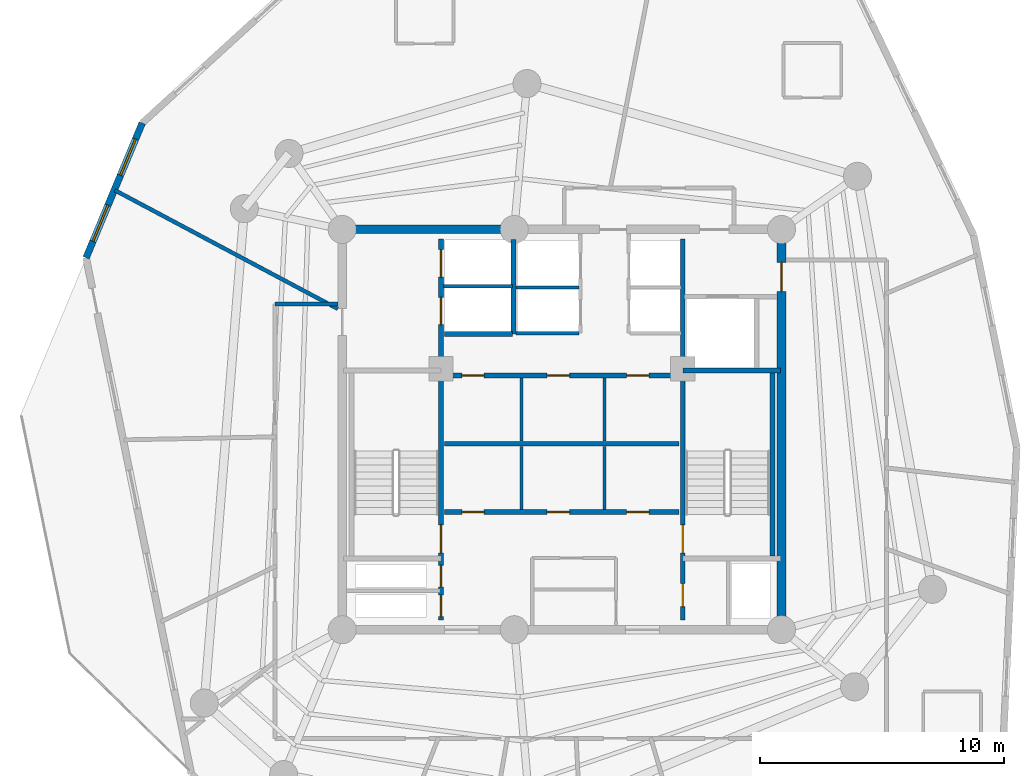
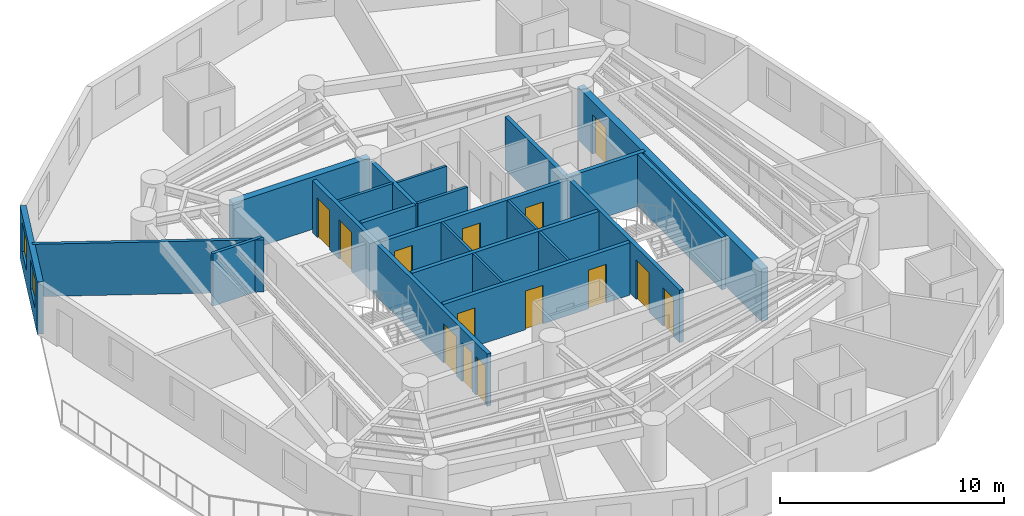
# One storey, part 4 of 8: 21 walls, 14 doors, 2 windows, 16 openings.
"""IFC4 building model written with IfcOpenShell, lengths in metres."""

from ifc_helpers import new_model, si_unit, direction, frame, frame_2d, origin, origin_with_axes, place, context, subcontext, project, spatial, rectangle, extrude, source, transform, mapped, material, layer, layer_set, type_object, element, fill, save


model = new_model("IFC4")

# Units and contexts
model_context = context("Model", 3, precision=1e-05, world=origin(), true_north=direction((0.0, 1.0)))
body_context = subcontext(model_context, "Body", "Model", "MODEL_VIEW")
ifc_project = project(units=[si_unit("LENGTHUNIT", "METRE"), si_unit("AREAUNIT", "SQUARE_METRE"), si_unit("VOLUMEUNIT", "CUBIC_METRE"), si_unit("PLANEANGLEUNIT", "RADIAN"), si_unit("MASSUNIT", "GRAM", prefix="KILO")], contexts=[model_context])

# Site, building, storey
site_placement = place(None, origin())
site = spatial("IfcSite", under=ifc_project, at=site_placement, CompositionType="ELEMENT")
building_placement = place(site_placement, origin())
building = spatial("IfcBuilding", under=site, at=building_placement, Name="Karkom Vertical University and Central Library", CompositionType="ELEMENT")
storey_placement = place(building_placement, frame((0.0, 0.0, 216.89990234375)))
storey = spatial("IfcBuildingStorey", under=building, at=storey_placement, Name="L63", CompositionType="ELEMENT", Elevation=216.89990234375)

# Wall, openings, windows
ifc_material_1 = material(Name="Brick-faced precast concrete C45/55", Category="masonry")
ifc_layer_1 = layer(ifc_material_1, 0.280029296875)
ifc_layer_set_1 = layer_set([ifc_layer_1], Name="Brick-faced precast concrete C45/55")
wall_type_1 = type_object("IfcWallType", Name="ENV-WL-BRK-280", PredefinedType="SOLIDWALL", material=ifc_layer_set_1)
wall_1_placement = place(storey_placement, frame((11.307861328125, 39.065185546875, 0.0), z_axis=(0.0, 0.0, 1.0), x_axis=(-0.384644347337, -0.923064854743, 0.0)))
wall_1 = element("IfcWall", 1, at=wall_1_placement, inside=storey, type_object=wall_type_1, Name="Level 63 Brick-Faced Precast Facade Wall 11", PredefinedType="SOLIDWALL", context=body_context, shape_type="SweptSolid", body=[
    extrude(rectangle(XDim=5.9853515625, YDim=0.280029296875, at=frame_2d((2.99267578125, 0.0))), origin(), (0.0, 0.0, 1.0), 2.85009765625),
])
opening_1_placement = place(wall_1_placement, frame((0.720947265625, 0.0, 0.85009765625)))
opening_1 = element("IfcOpeningElement", 2, at=opening_1_placement, cuts=wall_1, Name="Opening WN-10", PredefinedType="OPENING", context=body_context, shape_type="SweptSolid", body=[
    extrude(rectangle(XDim=1.60009765625, YDim=1.60009765625, at=frame_2d((0.800048828125, 0.800048828125))), frame((0.0, 0.14990234375, 0.0), z_axis=(0.0, -1.0, 0.0), x_axis=(1.0, 0.0, 0.0)), (0.0, 0.0, 1.0), 0.300048828125),
])
opening_2_placement = place(wall_1_placement, frame((3.653564453125, 0.0, 0.85009765625)))
opening_2 = element("IfcOpeningElement", 3, at=opening_2_placement, cuts=wall_1, Name="Opening WN-10", PredefinedType="OPENING", context=body_context, shape_type="SweptSolid", body=[
    extrude(rectangle(XDim=1.60009765625, YDim=1.60009765625, at=frame_2d((0.800048828125, 0.800048828125))), frame((0.0, 0.14990234375, 0.0), z_axis=(0.0, -1.0, 0.0), x_axis=(1.0, 0.0, 0.0)), (0.0, 0.0, 1.0), 0.300048828125),
])
ifc_material_2 = material(Name="Aluminium thermal-break frame with solar-control IGU", Category="aluminium")
window_type = type_object("IfcWindowType", Name="ENV-WIN-WN-10", PartitioningType="SINGLE_PANEL", PredefinedType="WINDOW", material=ifc_material_2)
shared_shape_1 = source(origin_with_axes(), body_context, "Body", "SweptSolid", [
    extrude(rectangle(XDim=1.60009765625, YDim=1.60009765625, at=frame_2d((0.800048828125, 0.800048828125))), frame((0.0, 0.030029296875, 0.0), z_axis=(0.0, -1.0, 0.0), x_axis=(1.0, 0.0, 0.0)), (0.0, 0.0, 1.0), 0.06005859375),
])
window_1_placement = place(opening_1_placement, origin())
window_1 = element("IfcWindow", 4, at=window_1_placement, inside=storey, type_object=window_type, Name="Level 63 Punched Window 11.1", OverallHeight=1.60009765625, OverallWidth=1.60009765625, PartitioningType="SINGLE_PANEL", PredefinedType="WINDOW", context=body_context, shape_type="MappedRepresentation", body=[
    mapped(shared_shape_1, transform((0.0, 0.0, 0.0), scale=1.0)),
])
fill(opening_1, window_1)
window_2_placement = place(opening_2_placement, origin())
window_2 = element("IfcWindow", 5, at=window_2_placement, inside=storey, type_object=window_type, Name="Level 63 Punched Window 11.2", OverallHeight=1.60009765625, OverallWidth=1.60009765625, PartitioningType="SINGLE_PANEL", PredefinedType="WINDOW", context=body_context, shape_type="MappedRepresentation", body=[
    mapped(shared_shape_1, transform((0.0, 0.0, 0.0), scale=1.0)),
])
fill(opening_2, window_2)

# Walls
ifc_material_3 = material(Name="Insulated metal-stud drywall 160mm", Category="gypsum")
ifc_layer_2 = layer(ifc_material_3, 0.159912109375)
ifc_layer_set_2 = layer_set([ifc_layer_2], Name="Insulated metal-stud drywall 160mm")
wall_type_2 = type_object("IfcWallType", Name="INT-WL-COR-160", PredefinedType="PARTITIONING", material=ifc_layer_set_2)
wall_2_placement = place(storey_placement, frame((19.318603515625, 31.44970703125, 0.0), z_axis=(0.0, 0.0, 1.0), x_axis=(-0.882947317061, 0.469472081485, 0.0)))
element("IfcWall", 6, at=wall_2_placement, inside=storey, type_object=wall_type_2, Name="Level 63 Interior Partition Wall L63-PW-016", PredefinedType="PARTITIONING", context=body_context, shape_type="SweptSolid", body=[
    extrude(rectangle(XDim=10.345947265625, YDim=0.159912109375, at=frame_2d((5.1728515625, 0.0))), origin(), (0.0, 0.0, 1.0), 2.85009765625),
])
wall_3_placement = place(storey_placement, frame((16.75, 31.64990234375, 0.0), z_axis=(0.0, 0.0, 1.0), x_axis=(1.0, 0.0, 0.0)))
element("IfcWall", 7, at=wall_3_placement, inside=storey, type_object=wall_type_2, Name="Level 63 Interior Partition Wall L63-CORW-CW-003", PredefinedType="PARTITIONING", context=body_context, shape_type="SweptSolid", body=[
    extrude(rectangle(XDim=2.568115234375, YDim=0.159912109375, at=frame_2d((1.2841796875, 0.0))), origin(), (0.0, 0.0, 1.0), 2.85009765625),
])
ifc_material_4 = material(Name="Moisture-resistant drywall 120mm", Category="gypsum")
ifc_layer_3 = layer(ifc_material_4, 0.1201171875)
ifc_layer_set_3 = layer_set([ifc_layer_3], Name="Moisture-resistant drywall 120mm")
wall_type_3 = type_object("IfcWallType", Name="INT-WL-INT-120", PredefinedType="PARTITIONING", material=ifc_layer_set_3)
for number, where, z_axis, x_axis, name in (
    (8, (26.85009765625, 23.22705078125, 0.0), (0.0, 0.0, 1.0), (0.0, 1.0, 0.0), "Level 63 Interior Partition Wall L63-CW-B1-K4A"),
    (9, (30.25, 23.22705078125, 0.0), (0.0, 0.0, 1.0), (0.0, 1.0, 0.0), "Level 63 Interior Partition Wall L63-CW-B1-K4B"),
    (10, (26.85009765625, 26.027099609375, 0.0), (0.0, 0.0, 1.0), (0.0, 1.0, 0.0), "Level 63 Interior Partition Wall L63-CW-B2-K4A"),
    (11, (30.25, 26.027099609375, 0.0), (0.0, 0.0, 1.0), (0.0, 1.0, 0.0), "Level 63 Interior Partition Wall L63-CW-B2-K4B"),
):
    element("IfcWall", number, at=place(storey_placement, frame(where, z_axis=z_axis, x_axis=x_axis)), inside=storey, type_object=wall_type_3, Name=name, PredefinedType="PARTITIONING", context=body_context, shape_type="SweptSolid", body=[
        extrude(rectangle(XDim=2.586669921875, YDim=0.1201171875, at=frame_2d((1.29345703125, 0.0))), origin(), (0.0, 0.0, 1.0), 2.85009765625),
    ])
ifc_layer_4 = layer(ifc_material_4, 0.1201171875)
ifc_layer_set_4 = layer_set([ifc_layer_4], Name="Moisture-resistant drywall 120mm")
wall_type_4 = type_object("IfcWallType", Name="INT-WL-INT-120H", PredefinedType="PARTITIONING", material=ifc_layer_set_4)
wall_4_placement = place(storey_placement, frame((26.6201171875, 32.320068359375, 0.0), z_axis=(0.0, 0.0, 1.0), x_axis=(1.0, 0.0, 0.0)))
element("IfcWall", 12, at=wall_4_placement, inside=storey, type_object=wall_type_4, Name="Level 63 Interior Partition Wall L63-CW-PH-MW", PredefinedType="PARTITIONING", context=body_context, shape_type="SweptSolid", body=[
    extrude(rectangle(XDim=2.579833984375, YDim=0.1201171875, at=frame_2d((1.2900390625, 0.0))), origin(), (0.0, 0.0, 1.0), 2.85009765625),
])
ifc_material_5 = material(Name="Metal-stud gypsum partition 140mm", Category="gypsum")
ifc_layer_5 = layer(ifc_material_5, 0.139892578125)
ifc_layer_set_5 = layer_set([ifc_layer_5], Name="Metal-stud gypsum partition 140mm")
wall_type_5 = type_object("IfcWallType", Name="INT-WL-SUB-140H", PredefinedType="PARTITIONING", material=ifc_layer_set_5)
wall_5_placement = place(storey_placement, frame((26.6201171875, 30.449951171875, 0.0), z_axis=(0.0, 0.0, 1.0), x_axis=(1.0, 0.0, 0.0)))
element("IfcWall", 13, at=wall_5_placement, inside=storey, type_object=wall_type_5, Name="Level 63 Interior Partition Wall L63-CW-PH-S1", PredefinedType="PARTITIONING", context=body_context, shape_type="SweptSolid", body=[
    extrude(rectangle(XDim=2.579833984375, YDim=0.139892578125, at=frame_2d((1.2900390625, 0.0))), origin(), (0.0, 0.0, 1.0), 2.85009765625),
])
ifc_layer_6 = layer(ifc_material_5, 0.139892578125)
ifc_layer_set_6 = layer_set([ifc_layer_6], Name="Metal-stud gypsum partition 140mm")
wall_type_6 = type_object("IfcWallType", Name="INT-WL-SUB-140X", PredefinedType="PARTITIONING", material=ifc_layer_set_6)
wall_6_placement = place(storey_placement, frame((23.652099609375, 32.3701171875, 0.0), z_axis=(0.0, 0.0, 1.0), x_axis=(1.0, 0.0, 0.0)))
element("IfcWall", 14, at=wall_6_placement, inside=storey, type_object=wall_type_6, Name="Level 63 Interior Partition Wall L63-CW-FFL-M", PredefinedType="PARTITIONING", context=body_context, shape_type="SweptSolid", body=[
    extrude(rectangle(XDim=2.827880859375, YDim=0.139892578125, at=frame_2d((1.4140625, 0.0))), origin(), (0.0, 0.0, 1.0), 2.85009765625),
])

# Wall, opening, door
ifc_material_6 = material(Name="Concrete C45/55", Category="concrete")
ifc_layer_7 = layer(ifc_material_6, 0.35009765625)
ifc_layer_set_7 = layer_set([ifc_layer_7], Name="Concrete C45/55")
wall_type_7 = type_object("IfcWallType", Name="STR-WL-CW-350", PredefinedType="SHEAR", material=ifc_layer_set_7)
wall_7_placement = place(storey_placement, frame((37.5, 18.300048828125, 0.0), z_axis=(0.0, 0.0, 1.0), x_axis=(0.0, 1.0, 0.0)))
wall_7 = element("IfcWall", 15, at=wall_7_placement, inside=storey, type_object=wall_type_7, Name="Level 63 Central Core Shear Wall EW", PredefinedType="SHEAR", context=body_context, shape_type="SweptSolid", body=[
    extrude(rectangle(XDim=16.39990234375, YDim=0.35009765625, at=frame_2d((8.199951171875, 0.0))), origin(), (0.0, 0.0, 1.0), 2.85009765625),
])
opening_3_placement = place(wall_7_placement, frame((13.85009765625, 0.0, 0.0)))
opening_3 = element("IfcOpeningElement", 16, at=opening_3_placement, cuts=wall_7, Name="Opening FD-SUB1", PredefinedType="OPENING", context=body_context, shape_type="SweptSolid", body=[
    extrude(rectangle(XDim=1.199951171875, YDim=2.14990234375, at=frame_2d((0.60009765625, 1.074951171875))), frame((0.0, 0.18505859375, 0.0), z_axis=(0.0, -1.0, 0.0), x_axis=(1.0, 0.0, 0.0)), (0.0, 0.0, 1.0), 0.3701171875),
])
ifc_material_7 = material(Name="Painted steel fire door", Category="steel")
door_type_1 = type_object("IfcDoorType", Name="INT-DR-SUB1", OperationType="NOTDEFINED", PredefinedType="DOOR", material=ifc_material_7)
shared_shape_2 = source(origin_with_axes(), body_context, "Body", "SweptSolid", [
    extrude(rectangle(XDim=1.199951171875, YDim=2.14990234375, at=frame_2d((0.60009765625, 1.074951171875))), frame((0.0, 0.02490234375, 0.0), z_axis=(0.0, -1.0, 0.0), x_axis=(1.0, 0.0, 0.0)), (0.0, 0.0, 1.0), 0.050048828125),
])
door_1_placement = place(opening_3_placement, origin())
door_1 = element("IfcDoor", 17, at=door_1_placement, inside=storey, type_object=door_type_1, Name="Level 63 East Corridor Service Lobby Door", OperationType="SINGLE_SWING_LEFT", OverallHeight=2.14990234375, OverallWidth=1.199951171875, PredefinedType="DOOR", context=body_context, shape_type="MappedRepresentation", body=[
    mapped(shared_shape_2, transform((0.0, 0.0, 0.0), scale=1.0)),
])
fill(opening_3, door_1)

# Wall
wall_8_placement = place(storey_placement, frame((26.550048828125, 34.699951171875, 0.0), z_axis=(0.0, 0.0, 1.0), x_axis=(-1.0, 0.0, 0.0)))
element("IfcWall", 18, at=wall_8_placement, inside=storey, type_object=wall_type_7, Name="Level 63 Central Core Shear Wall NW2", PredefinedType="SHEAR", context=body_context, shape_type="SweptSolid", body=[
    extrude(rectangle(XDim=7.050048828125, YDim=0.35009765625, at=frame_2d((3.52490234375, 0.0))), origin(), (0.0, 0.0, 1.0), 2.85009765625),
])

# Wall, openings, doors
ifc_layer_8 = layer(ifc_material_6, 0.199951171875)
ifc_layer_set_8 = layer_set([ifc_layer_8], Name="Concrete C45/55")
wall_type_8 = type_object("IfcWallType", Name="STR-WL-ST-200", PredefinedType="SHEAR", material=ifc_layer_set_8)
wall_9_placement = place(storey_placement, frame((23.544921875, 18.699951171875, 0.0), z_axis=(0.0, 0.0, 1.0), x_axis=(0.0, 1.0, 0.0)))
wall_9 = element("IfcWall", 19, at=wall_9_placement, inside=storey, type_object=wall_type_8, Name="Level 63 Core Shaft Wall L63-CW-ST1-E", PredefinedType="SHEAR", context=body_context, shape_type="SweptSolid", body=[
    extrude(rectangle(XDim=15.60009765625, YDim=0.199951171875, at=frame_2d((7.800048828125, 0.0))), origin(), (0.0, 0.0, 1.0), 2.85009765625),
])
opening_4_placement = place(wall_9_placement, frame((2.75, 0.0, 0.0)))
opening_4 = element("IfcOpeningElement", 20, at=opening_4_placement, cuts=wall_9, Name="Opening FD-ST1", PredefinedType="OPENING", context=body_context, shape_type="SweptSolid", body=[
    extrude(rectangle(XDim=1.14990234375, YDim=2.14990234375, at=frame_2d((0.574951171875, 1.074951171875))), frame((0.0, 0.10986328125, 0.0), z_axis=(0.0, -1.0, 0.0), x_axis=(1.0, 0.0, 0.0)), (0.0, 0.0, 1.0), 0.219970703125),
])
opening_5_placement = place(wall_9_placement, frame((0.139892578125, 0.0, 0.0)))
opening_5 = element("IfcOpeningElement", 21, at=opening_5_placement, cuts=wall_9, Name="Opening FD-RIS", PredefinedType="OPENING", context=body_context, shape_type="SweptSolid", body=[
    extrude(rectangle(XDim=0.8798828125, YDim=2.10009765625, at=frame_2d((0.43994140625, 1.050048828125))), frame((0.0, 0.10986328125, 0.0), z_axis=(0.0, -1.0, 0.0), x_axis=(1.0, 0.0, 0.0)), (0.0, 0.0, 1.0), 0.219970703125),
])
opening_6_placement = place(wall_9_placement, frame((1.360107421875, 0.0, 0.0)))
opening_6 = element("IfcOpeningElement", 22, at=opening_6_placement, cuts=wall_9, Name="Opening FD-RIS", PredefinedType="OPENING", context=body_context, shape_type="SweptSolid", body=[
    extrude(rectangle(XDim=0.8798828125, YDim=2.10009765625, at=frame_2d((0.43994140625, 1.050048828125))), frame((0.0, 0.10986328125, 0.0), z_axis=(0.0, -1.0, 0.0), x_axis=(1.0, 0.0, 0.0)), (0.0, 0.0, 1.0), 0.219970703125),
])
opening_7_placement = place(wall_9_placement, frame((12.10009765625, 0.0, 0.0)))
opening_7 = element("IfcOpeningElement", 23, at=opening_7_placement, cuts=wall_9, Name="Opening LD-FFL", PredefinedType="OPENING", context=body_context, shape_type="SweptSolid", body=[
    extrude(rectangle(XDim=1.1201171875, YDim=2.14990234375, at=frame_2d((0.56005859375, 1.074951171875))), frame((0.0, 0.10986328125, 0.0), z_axis=(0.0, -1.0, 0.0), x_axis=(1.0, 0.0, 0.0)), (0.0, 0.0, 1.0), 0.219970703125),
])
opening_8_placement = place(wall_9_placement, frame((14.050048828125, 0.0, 0.0)))
opening_8 = element("IfcOpeningElement", 24, at=opening_8_placement, cuts=wall_9, Name="Opening LD-FFL", PredefinedType="OPENING", context=body_context, shape_type="SweptSolid", body=[
    extrude(rectangle(XDim=1.1201171875, YDim=2.14990234375, at=frame_2d((0.56005859375, 1.074951171875))), frame((0.0, 0.10986328125, 0.0), z_axis=(0.0, -1.0, 0.0), x_axis=(1.0, 0.0, 0.0)), (0.0, 0.0, 1.0), 0.219970703125),
])
ifc_material_8 = material(Name="Painted steel acoustic fire door", Category="steel")
door_type_2 = type_object("IfcDoorType", Name="INT-DR-ST1", OperationType="NOTDEFINED", PredefinedType="DOOR", material=ifc_material_8)
shared_shape_3 = source(origin_with_axes(), body_context, "Body", "SweptSolid", [
    extrude(rectangle(XDim=1.14990234375, YDim=2.14990234375, at=frame_2d((0.574951171875, 1.074951171875))), frame((0.0, 0.02490234375, 0.0), z_axis=(0.0, -1.0, 0.0), x_axis=(1.0, 0.0, 0.0)), (0.0, 0.0, 1.0), 0.050048828125),
])
door_2_placement = place(opening_4_placement, origin())
door_2 = element("IfcDoor", 25, at=door_2_placement, inside=storey, type_object=door_type_2, Name="Level 63 Stair ST-1 Fire Door", OperationType="SINGLE_SWING_RIGHT", OverallHeight=2.14990234375, OverallWidth=1.14990234375, PredefinedType="DOOR", context=body_context, shape_type="MappedRepresentation", body=[
    mapped(shared_shape_3, transform((0.0, 0.0, 0.0), scale=1.0)),
])
fill(opening_4, door_2)
ifc_material_9 = material(Name="Painted steel riser access door", Category="steel")
door_type_3 = type_object("IfcDoorType", Name="INT-DR-RIS", OperationType="NOTDEFINED", PredefinedType="DOOR", material=ifc_material_9)
shared_shape_4 = source(origin_with_axes(), body_context, "Body", "SweptSolid", [
    extrude(rectangle(XDim=0.8798828125, YDim=2.10009765625, at=frame_2d((0.43994140625, 1.050048828125))), frame((0.0, 0.02490234375, 0.0), z_axis=(0.0, -1.0, 0.0), x_axis=(1.0, 0.0, 0.0)), (0.0, 0.0, 1.0), 0.050048828125),
])
door_3_placement = place(opening_5_placement, origin())
door_3 = element("IfcDoor", 26, at=door_3_placement, inside=storey, type_object=door_type_3, Name="Level 63 Electrical Riser Access Door", OperationType="SINGLE_SWING_LEFT", OverallHeight=2.10009765625, OverallWidth=0.8798828125, PredefinedType="DOOR", context=body_context, shape_type="MappedRepresentation", body=[
    mapped(shared_shape_4, transform((0.0, 0.0, 0.0), scale=1.0)),
])
fill(opening_5, door_3)
door_4_placement = place(opening_6_placement, origin())
door_4 = element("IfcDoor", 27, at=door_4_placement, inside=storey, type_object=door_type_3, Name="Level 63 Telecom Riser Access Door", OperationType="SINGLE_SWING_RIGHT", OverallHeight=2.10009765625, OverallWidth=0.8798828125, PredefinedType="DOOR", context=body_context, shape_type="MappedRepresentation", body=[
    mapped(shared_shape_4, transform((0.0, 0.0, 0.0), scale=1.0)),
])
fill(opening_6, door_4)
ifc_material_10 = material(Name="Fire-rated stainless-steel landing door", Category="steel")
door_type_4 = type_object("IfcDoorType", Name="INT-DR-LD-FFL", OperationType="SLIDING_TO_LEFT", PredefinedType="DOOR", material=ifc_material_10)
shared_shape_5 = source(origin_with_axes(), body_context, "Body", "SweptSolid", [
    extrude(rectangle(XDim=1.1201171875, YDim=2.14990234375, at=frame_2d((0.56005859375, 1.074951171875))), frame((0.0, 0.02490234375, 0.0), z_axis=(0.0, -1.0, 0.0), x_axis=(1.0, 0.0, 0.0)), (0.0, 0.0, 1.0), 0.050048828125),
])
door_5_placement = place(opening_7_placement, origin())
door_5 = element("IfcDoor", 28, at=door_5_placement, inside=storey, type_object=door_type_4, Name="Level 63 Firefighting Lift FFL-1 Landing Door", OperationType="SLIDING_TO_LEFT", OverallHeight=2.14990234375, OverallWidth=1.1201171875, PredefinedType="DOOR", context=body_context, shape_type="MappedRepresentation", body=[
    mapped(shared_shape_5, transform((0.0, 0.0, 0.0), scale=1.0)),
])
fill(opening_7, door_5)
door_6_placement = place(opening_8_placement, origin())
door_6 = element("IfcDoor", 29, at=door_6_placement, inside=storey, type_object=door_type_4, Name="Level 63 Firefighting Lift FFL-2 Landing Door", OperationType="SLIDING_TO_RIGHT", OverallHeight=2.14990234375, OverallWidth=1.1201171875, PredefinedType="DOOR", context=body_context, shape_type="MappedRepresentation", body=[
    mapped(shared_shape_5, transform((0.0, 0.0, 0.0), scale=1.0)),
])
fill(opening_8, door_6)

wall_10_placement = place(storey_placement, frame((33.455078125, 18.699951171875, 0.0), z_axis=(0.0, 0.0, 1.0), x_axis=(0.0, 1.0, 0.0)))
wall_10 = element("IfcWall", 30, at=wall_10_placement, inside=storey, type_object=wall_type_8, Name="Level 63 Core Shaft Wall L63-CW-ST2-W", PredefinedType="SHEAR", context=body_context, shape_type="SweptSolid", body=[
    extrude(rectangle(XDim=15.60009765625, YDim=0.199951171875, at=frame_2d((7.800048828125, 0.0))), origin(), (0.0, 0.0, 1.0), 2.85009765625),
])
opening_9_placement = place(wall_10_placement, frame((2.75, 0.0, 0.0)))
opening_9 = element("IfcOpeningElement", 31, at=opening_9_placement, cuts=wall_10, Name="Opening FD-ST1", PredefinedType="OPENING", context=body_context, shape_type="SweptSolid", body=[
    extrude(rectangle(XDim=1.14990234375, YDim=2.14990234375, at=frame_2d((0.574951171875, 1.074951171875))), frame((0.0, 0.10986328125, 0.0), z_axis=(0.0, -1.0, 0.0), x_axis=(1.0, 0.0, 0.0)), (0.0, 0.0, 1.0), 0.219970703125),
])
opening_10_placement = place(wall_10_placement, frame((0.550048828125, 0.0, 0.0)))
opening_10 = element("IfcOpeningElement", 32, at=opening_10_placement, cuts=wall_10, Name="Opening D-WC1", PredefinedType="OPENING", context=body_context, shape_type="SweptSolid", body=[
    extrude(rectangle(XDim=0.93994140625, YDim=2.10009765625, at=frame_2d((0.469970703125, 1.050048828125))), frame((0.0, 0.10986328125, 0.0), z_axis=(0.0, -1.0, 0.0), x_axis=(1.0, 0.0, 0.0)), (0.0, 0.0, 1.0), 0.219970703125),
])
door_7_placement = place(opening_9_placement, origin())
door_7 = element("IfcDoor", 33, at=door_7_placement, inside=storey, type_object=door_type_2, Name="Level 63 Stair ST-2 Fire Door", OperationType="SINGLE_SWING_LEFT", OverallHeight=2.14990234375, OverallWidth=1.14990234375, PredefinedType="DOOR", context=body_context, shape_type="MappedRepresentation", body=[
    mapped(shared_shape_3, transform((0.0, 0.0, 0.0), scale=1.0)),
])
fill(opening_9, door_7)
ifc_material_11 = material(Name="Fire-rated laminate moisture-resistant door", Category="wood")
door_type_5 = type_object("IfcDoorType", Name="INT-DR-WC1", OperationType="NOTDEFINED", PredefinedType="DOOR", material=ifc_material_11)
shared_shape_6 = source(origin_with_axes(), body_context, "Body", "SweptSolid", [
    extrude(rectangle(XDim=0.93994140625, YDim=2.10009765625, at=frame_2d((0.469970703125, 1.050048828125))), frame((0.0, 0.02490234375, 0.0), z_axis=(0.0, -1.0, 0.0), x_axis=(1.0, 0.0, 0.0)), (0.0, 0.0, 1.0), 0.050048828125),
])
door_8_placement = place(opening_10_placement, origin())
door_8 = element("IfcDoor", 34, at=door_8_placement, inside=storey, type_object=door_type_5, Name="Level 63 Accessible WC Door", OperationType="SINGLE_SWING_LEFT", OverallHeight=2.10009765625, OverallWidth=0.93994140625, PredefinedType="DOOR", context=body_context, shape_type="MappedRepresentation", body=[
    mapped(shared_shape_6, transform((0.0, 0.0, 0.0), scale=1.0)),
])
fill(opening_10, door_8)

wall_11_placement = place(storey_placement, frame((23.699951171875, 23.1201171875, 0.0), z_axis=(0.0, 0.0, 1.0), x_axis=(1.0, 0.0, 0.0)))
wall_11 = element("IfcWall", 35, at=wall_11_placement, inside=storey, type_object=wall_type_8, Name="Level 63 Core Shaft Wall L63-CW-B1-S", PredefinedType="SHEAR", context=body_context, shape_type="SweptSolid", body=[
    extrude(rectangle(XDim=9.60009765625, YDim=0.199951171875, at=frame_2d((4.800048828125, 0.0))), origin(), (0.0, 0.0, 1.0), 2.85009765625),
])
opening_11_placement = place(wall_11_placement, frame((0.699951171875, 0.0, 0.0)))
opening_11 = element("IfcOpeningElement", 36, at=opening_11_placement, cuts=wall_11, Name="Opening D-SVC1", PredefinedType="OPENING", context=body_context, shape_type="SweptSolid", body=[
    extrude(rectangle(XDim=0.919921875, YDim=2.10009765625, at=frame_2d((0.4599609375, 1.050048828125))), frame((0.0, 0.10986328125, 0.0), z_axis=(0.0, -1.0, 0.0), x_axis=(1.0, 0.0, 0.0)), (0.0, 0.0, 1.0), 0.219970703125),
])
opening_12_placement = place(wall_11_placement, frame((4.199951171875, 0.0, 0.0)))
opening_12 = element("IfcOpeningElement", 37, at=opening_12_placement, cuts=wall_11, Name="Opening D-SVC1", PredefinedType="OPENING", context=body_context, shape_type="SweptSolid", body=[
    extrude(rectangle(XDim=0.919921875, YDim=2.10009765625, at=frame_2d((0.4599609375, 1.050048828125))), frame((0.0, 0.10986328125, 0.0), z_axis=(0.0, -1.0, 0.0), x_axis=(1.0, 0.0, 0.0)), (0.0, 0.0, 1.0), 0.219970703125),
])
opening_13_placement = place(wall_11_placement, frame((7.449951171875, 0.0, 0.0)))
opening_13 = element("IfcOpeningElement", 38, at=opening_13_placement, cuts=wall_11, Name="Opening D-SVC1", PredefinedType="OPENING", context=body_context, shape_type="SweptSolid", body=[
    extrude(rectangle(XDim=0.919921875, YDim=2.10009765625, at=frame_2d((0.4599609375, 1.050048828125))), frame((0.0, 0.10986328125, 0.0), z_axis=(0.0, -1.0, 0.0), x_axis=(1.0, 0.0, 0.0)), (0.0, 0.0, 1.0), 0.219970703125),
])
ifc_material_12 = material(Name="Painted timber service door", Category="wood")
door_type_6 = type_object("IfcDoorType", Name="INT-DR-SVC1", OperationType="NOTDEFINED", PredefinedType="DOOR", material=ifc_material_12)
shared_shape_7 = source(origin_with_axes(), body_context, "Body", "SweptSolid", [
    extrude(rectangle(XDim=0.919921875, YDim=2.10009765625, at=frame_2d((0.4599609375, 1.050048828125))), frame((0.0, 0.02490234375, 0.0), z_axis=(0.0, -1.0, 0.0), x_axis=(1.0, 0.0, 0.0)), (0.0, 0.0, 1.0), 0.050048828125),
])
door_9_placement = place(opening_11_placement, origin())
door_9 = element("IfcDoor", 39, at=door_9_placement, inside=storey, type_object=door_type_6, Name="Level 63 B1 Store A Door", OperationType="SINGLE_SWING_RIGHT", OverallHeight=2.10009765625, OverallWidth=0.919921875, PredefinedType="DOOR", context=body_context, shape_type="MappedRepresentation", body=[
    mapped(shared_shape_7, transform((0.0, 0.0, 0.0), scale=1.0)),
])
fill(opening_11, door_9)
door_10_placement = place(opening_12_placement, origin())
door_10 = element("IfcDoor", 40, at=door_10_placement, inside=storey, type_object=door_type_6, Name="Level 63 B1 Comms Door", OperationType="SINGLE_SWING_LEFT", OverallHeight=2.10009765625, OverallWidth=0.919921875, PredefinedType="DOOR", context=body_context, shape_type="MappedRepresentation", body=[
    mapped(shared_shape_7, transform((0.0, 0.0, 0.0), scale=1.0)),
])
fill(opening_12, door_10)
door_11_placement = place(opening_13_placement, origin())
door_11 = element("IfcDoor", 41, at=door_11_placement, inside=storey, type_object=door_type_6, Name="Level 63 B1 Store C Door", OperationType="SINGLE_SWING_RIGHT", OverallHeight=2.10009765625, OverallWidth=0.919921875, PredefinedType="DOOR", context=body_context, shape_type="MappedRepresentation", body=[
    mapped(shared_shape_7, transform((0.0, 0.0, 0.0), scale=1.0)),
])
fill(opening_13, door_11)

# Wall
wall_12_placement = place(storey_placement, frame((23.699951171875, 25.919921875, 0.0), z_axis=(0.0, 0.0, 1.0), x_axis=(1.0, 0.0, 0.0)))
element("IfcWall", 42, at=wall_12_placement, inside=storey, type_object=wall_type_8, Name="Level 63 Core Shaft Wall L63-CW-B1-N", PredefinedType="SHEAR", context=body_context, shape_type="SweptSolid", body=[
    extrude(rectangle(XDim=9.60009765625, YDim=0.199951171875, at=frame_2d((4.800048828125, 0.0))), origin(), (0.0, 0.0, 1.0), 2.85009765625),
])

# Wall, openings, doors
wall_13_placement = place(storey_placement, frame((23.699951171875, 28.719970703125, 0.0), z_axis=(0.0, 0.0, 1.0), x_axis=(1.0, 0.0, 0.0)))
wall_13 = element("IfcWall", 43, at=wall_13_placement, inside=storey, type_object=wall_type_8, Name="Level 63 Core Shaft Wall L63-CW-B2-N", PredefinedType="SHEAR", context=body_context, shape_type="SweptSolid", body=[
    extrude(rectangle(XDim=9.60009765625, YDim=0.199951171875, at=frame_2d((4.800048828125, 0.0))), origin(), (0.0, 0.0, 1.0), 2.85009765625),
])
opening_14_placement = place(wall_13_placement, frame((0.699951171875, 0.0, 0.0)))
opening_14 = element("IfcOpeningElement", 44, at=opening_14_placement, cuts=wall_13, Name="Opening D-SVC1", PredefinedType="OPENING", context=body_context, shape_type="SweptSolid", body=[
    extrude(rectangle(XDim=0.919921875, YDim=2.10009765625, at=frame_2d((0.4599609375, 1.050048828125))), frame((0.0, 0.10986328125, 0.0), z_axis=(0.0, -1.0, 0.0), x_axis=(1.0, 0.0, 0.0)), (0.0, 0.0, 1.0), 0.219970703125),
])
opening_15_placement = place(wall_13_placement, frame((4.199951171875, 0.0, 0.0)))
opening_15 = element("IfcOpeningElement", 45, at=opening_15_placement, cuts=wall_13, Name="Opening D-SVC1", PredefinedType="OPENING", context=body_context, shape_type="SweptSolid", body=[
    extrude(rectangle(XDim=0.919921875, YDim=2.10009765625, at=frame_2d((0.4599609375, 1.050048828125))), frame((0.0, 0.10986328125, 0.0), z_axis=(0.0, -1.0, 0.0), x_axis=(1.0, 0.0, 0.0)), (0.0, 0.0, 1.0), 0.219970703125),
])
opening_16_placement = place(wall_13_placement, frame((7.449951171875, 0.0, 0.0)))
opening_16 = element("IfcOpeningElement", 46, at=opening_16_placement, cuts=wall_13, Name="Opening D-SVC1", PredefinedType="OPENING", context=body_context, shape_type="SweptSolid", body=[
    extrude(rectangle(XDim=0.919921875, YDim=2.10009765625, at=frame_2d((0.4599609375, 1.050048828125))), frame((0.0, 0.10986328125, 0.0), z_axis=(0.0, -1.0, 0.0), x_axis=(1.0, 0.0, 0.0)), (0.0, 0.0, 1.0), 0.219970703125),
])
door_12_placement = place(opening_14_placement, origin())
door_12 = element("IfcDoor", 47, at=door_12_placement, inside=storey, type_object=door_type_6, Name="Level 63 B2 Store A Door", OperationType="SINGLE_SWING_LEFT", OverallHeight=2.10009765625, OverallWidth=0.919921875, PredefinedType="DOOR", context=body_context, shape_type="MappedRepresentation", body=[
    mapped(shared_shape_7, transform((0.0, 0.0, 0.0), scale=1.0)),
])
fill(opening_14, door_12)
door_13_placement = place(opening_15_placement, origin())
door_13 = element("IfcDoor", 48, at=door_13_placement, inside=storey, type_object=door_type_6, Name="Level 63 B2 Comms Door", OperationType="SINGLE_SWING_RIGHT", OverallHeight=2.10009765625, OverallWidth=0.919921875, PredefinedType="DOOR", context=body_context, shape_type="MappedRepresentation", body=[
    mapped(shared_shape_7, transform((0.0, 0.0, 0.0), scale=1.0)),
])
fill(opening_15, door_13)
door_14_placement = place(opening_16_placement, origin())
door_14 = element("IfcDoor", 49, at=door_14_placement, inside=storey, type_object=door_type_6, Name="Level 63 B2 Store C Door", OperationType="SINGLE_SWING_LEFT", OverallHeight=2.10009765625, OverallWidth=0.919921875, PredefinedType="DOOR", context=body_context, shape_type="MappedRepresentation", body=[
    mapped(shared_shape_7, transform((0.0, 0.0, 0.0), scale=1.0)),
])
fill(opening_16, door_14)

# Walls
wall_14_placement = place(storey_placement, frame((37.125, 21.320068359375, 0.0), z_axis=(0.0, 0.0, 1.0), x_axis=(0.0, 1.0, 0.0)))
element("IfcWall", 50, at=wall_14_placement, inside=storey, type_object=wall_type_8, Name="Level 63 Core Shaft Wall L63-CW-ST2-E", PredefinedType="SHEAR", context=body_context, shape_type="SweptSolid", body=[
    extrude(rectangle(XDim=7.5, YDim=0.199951171875, at=frame_2d((3.75, 0.0))), origin(), (0.0, 0.0, 1.0), 2.85009765625),
])
wall_15_placement = place(storey_placement, frame((33.455078125, 28.925048828125, 0.0), z_axis=(0.0, 0.0, 1.0), x_axis=(1.0, 0.0, 0.0)))
element("IfcWall", 51, at=wall_15_placement, inside=storey, type_object=wall_type_8, Name="Level 63 Core Shaft Wall L63-CW-ST2-N", PredefinedType="SHEAR", context=body_context, shape_type="SweptSolid", body=[
    extrude(rectangle(XDim=3.994873046875, YDim=0.199951171875, at=frame_2d((1.99755859375, 0.0))), origin(), (0.0, 0.0, 1.0), 2.85009765625),
])
wall_16_placement = place(storey_placement, frame((26.52001953125, 30.419921875, 0.0), z_axis=(0.0, 0.0, 1.0), x_axis=(0.0, 1.0, 0.0)))
element("IfcWall", 52, at=wall_16_placement, inside=storey, type_object=wall_type_8, Name="Level 63 Core Shaft Wall L63-CW-FFL-E", PredefinedType="SHEAR", context=body_context, shape_type="SweptSolid", body=[
    extrude(rectangle(XDim=3.860107421875, YDim=0.199951171875, at=frame_2d((1.93017578125, 0.0))), origin(), (0.0, 0.0, 1.0), 2.85009765625),
])
wall_17_placement = place(storey_placement, frame((23.699951171875, 30.419921875, 0.0), z_axis=(0.0, 0.0, 1.0), x_axis=(1.0, 0.0, 0.0)))
element("IfcWall", 53, at=wall_17_placement, inside=storey, type_object=wall_type_8, Name="Level 63 Core Shaft Wall L63-CW-FFL-S", PredefinedType="SHEAR", context=body_context, shape_type="SweptSolid", body=[
    extrude(rectangle(XDim=2.780029296875, YDim=0.199951171875, at=frame_2d((1.39013671875, 0.0))), origin(), (0.0, 0.0, 1.0), 2.85009765625),
])

save(model, "model.ifc")
